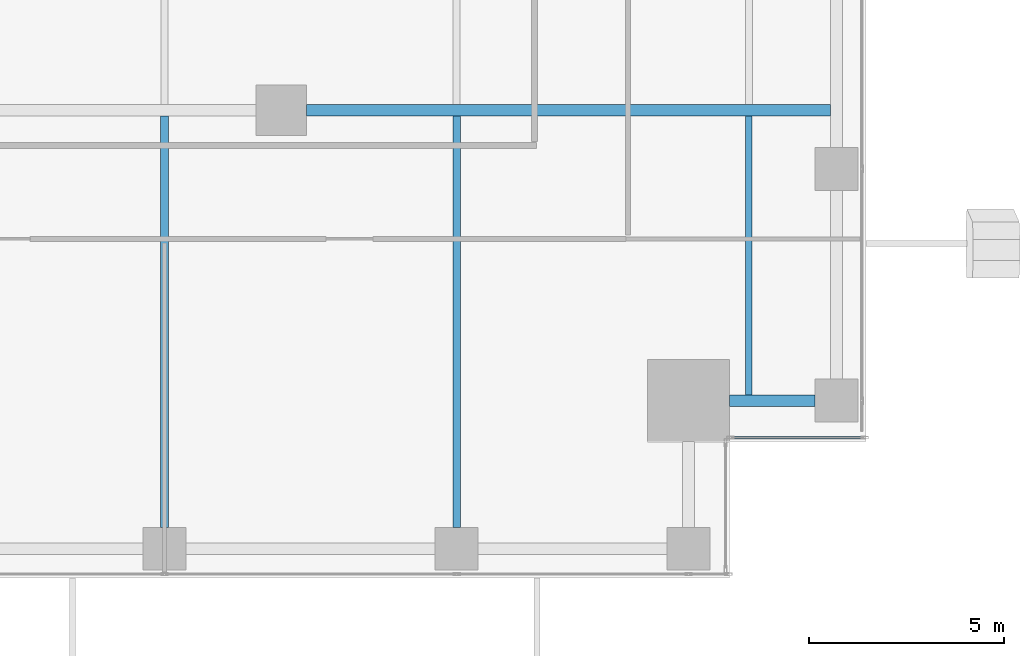
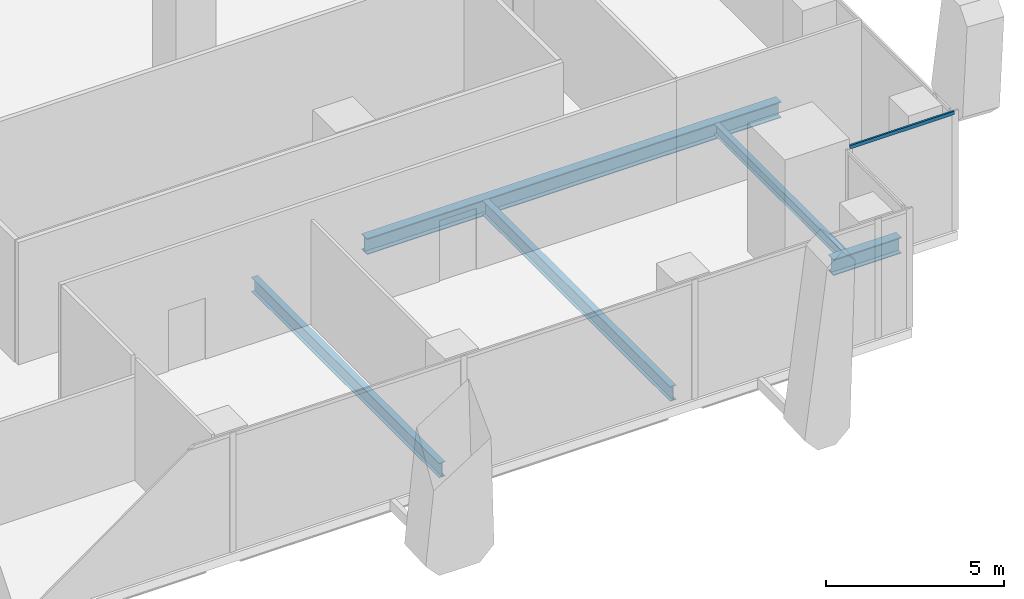
# One storey, part 10 of 35: 5 beams, 1 member, 1 element without a shape of its own.
"""IFC4 building model written with IfcOpenShell, lengths in metres."""

import ifcopenshell
import ifcopenshell.guid

model = None  # the IFC model being written
_history = None  # IfcOwnerHistory: only IFC2X3 demands one
_inside = {}  # id of a spatial element -> (the spatial element, [elements in it])
_under = {}  # id of a project, library or spatial element -> (it, [spatial elements below it])
_declared = {}  # id of a project -> (the project, [libraries it declares])
_typed = {}  # id of a type object -> (the type object, [elements of that type])
_made_of = {}  # id of a material, layer set ... -> (it, [elements and type objects made of it])


def new_model(schema):
    """Start an empty IFC model of exactly this schema.

    Asked for "IFC4X3", IfcOpenShell would pick the latest addendum, in which some entities
    have other attributes; the version numbers below select the first issue.
    IFC2X3 requires an IfcOwnerHistory on every rooted entity: one is made here for all.
    """
    global model, _history
    if schema == "IFC4X3":
        model = ifcopenshell.file(schema_version=(4, 3, 0, 0))
    else:
        model = ifcopenshell.file(schema=schema)
    _inside.clear()
    _under.clear()
    _declared.clear()
    _typed.clear()
    _made_of.clear()
    _history = None
    if model.schema == "IFC2X3":
        org = make("IfcOrganization", Name="unknown")
        user = make(
            "IfcPersonAndOrganization",
            ThePerson=make("IfcPerson", FamilyName="unknown"),
            TheOrganization=org,
        )
        app = make(
            "IfcApplication",
            ApplicationDeveloper=org,
            Version="unknown",
            ApplicationFullName="unknown",
            ApplicationIdentifier="unknown",
        )
        _history = make(
            "IfcOwnerHistory",
            OwningUser=user,
            OwningApplication=app,
            ChangeAction="ADDED",
            CreationDate=0,
        )
    return model


def make(cls, **values):
    """One entity of the class cls with the attributes given. An attribute that is None is left unset."""
    return model.create_entity(
        cls, **{name: value for name, value in values.items() if value is not None}
    )


def rooted(cls, **values):
    """An entity with a GlobalId (a new one), such as an element, a storey or a relation."""
    return make(cls, GlobalId=ifcopenshell.guid.new(), OwnerHistory=_history, **values)


def si_unit(unit_type, name, prefix=None):
    """IfcSIUnit, for example si_unit("LENGTHUNIT", "METRE", prefix="MILLI")."""
    return make("IfcSIUnit", UnitType=unit_type, Prefix=prefix, Name=name)


def assignment(units):
    """IfcUnitAssignment: the units of a project."""
    return None if units is None else make("IfcUnitAssignment", Units=units)


def point(xyz):
    """IfcCartesianPoint."""
    return None if xyz is None else make("IfcCartesianPoint", Coordinates=xyz)


def direction(xyz):
    """IfcDirection."""
    return None if xyz is None else make("IfcDirection", DirectionRatios=xyz)


def frame(location, z_axis=None, x_axis=None):
    """IfcAxis2Placement3D, a coordinate frame: its origin and axes. An axis left out is left unset."""
    return make(
        "IfcAxis2Placement3D",
        Location=point(location),
        Axis=direction(z_axis),
        RefDirection=direction(x_axis),
    )


def frame_2d(location, x_axis=None):
    """IfcAxis2Placement2D, a coordinate frame in the plane: its origin and x axis."""
    return make(
        "IfcAxis2Placement2D", Location=point(location), RefDirection=direction(x_axis)
    )


def origin():
    """The frame at (0, 0, 0) with its axes left unset."""
    return frame((0.0, 0.0, 0.0))


def origin_2d():
    """The frame at (0, 0) in the plane with its x axis left unset."""
    return frame_2d((0.0, 0.0))


def place(relative_to, where):
    """IfcLocalPlacement: puts the frame where relative to a parent placement (None: the world)."""
    return make(
        "IfcLocalPlacement", PlacementRelTo=relative_to, RelativePlacement=where
    )


def context(
    kind, dimensions, precision=None, world=None, true_north=None, identifier=None
):
    """IfcGeometricRepresentationContext, for example the 3D "Model" context."""
    return make(
        "IfcGeometricRepresentationContext",
        ContextIdentifier=identifier,
        ContextType=kind,
        CoordinateSpaceDimension=dimensions,
        Precision=precision,
        WorldCoordinateSystem=world,
        TrueNorth=true_north,
    )


def subcontext(parent, identifier, kind, view, scale=None):
    """IfcGeometricRepresentationSubContext, for example "Body" below "Model"."""
    return make(
        "IfcGeometricRepresentationSubContext",
        ContextIdentifier=identifier,
        ContextType=kind,
        ParentContext=parent,
        TargetScale=scale,
        TargetView=view,
    )


def project(units=None, contexts=None):
    """IfcProject with its units and contexts."""
    return rooted(
        "IfcProject",
        Name="project",
        RepresentationContexts=contexts,
        UnitsInContext=assignment(units),
    )


def spatial(cls, under=None, at=None, **own):
    """A site, building, storey or space (cls), placed at a placement, below another one or the project."""
    s = rooted(cls, ObjectPlacement=at, **own)
    if under is not None:
        _under.setdefault(under.id(), (under, []))[1].append(s)
    return s


def profile(cls, at=None, kind="AREA", **sizes):
    """A parametric profile (cls). Its sizes go by their IFC names, for example OverallWidth=200.0."""
    return make(cls, ProfileType=kind, Position=at, **sizes)


def hollow_rectangle(**sizes):
    """IfcRectangleHollowProfileDef."""
    return profile("IfcRectangleHollowProfileDef", **sizes)


def i_section(**sizes):
    """IfcIShapeProfileDef."""
    return profile("IfcIShapeProfileDef", **sizes)


def extrude(swept, where, along, depth):
    """IfcExtrudedAreaSolid: the profile swept, set in the frame where, extruded along a direction by depth."""
    return make(
        "IfcExtrudedAreaSolid",
        SweptArea=swept,
        Position=where,
        ExtrudedDirection=direction(along),
        Depth=depth,
    )


def shape(context_of_items, identifier, shape_type, items):
    """IfcShapeRepresentation: the items that make up one representation, for example the "Body"."""
    return make(
        "IfcShapeRepresentation",
        ContextOfItems=context_of_items,
        RepresentationIdentifier=identifier,
        RepresentationType=shape_type,
        Items=items,
    )


def source(mapping_origin, context_of_items, identifier, shape_type, items):
    """IfcRepresentationMap: a shape defined once, which mapped items show again and again."""
    return make(
        "IfcRepresentationMap",
        MappingOrigin=mapping_origin,
        MappedRepresentation=shape(context_of_items, identifier, shape_type, items),
    )


def transform(
    local_origin,
    x_axis=None,
    y_axis=None,
    z_axis=None,
    scale=None,
    scale2=None,
    scale3=None,
    uniform=True,
):
    """IfcCartesianTransformationOperator3D, or its non-uniform kind. x_axis, y_axis, z_axis: its Axis1, 2, 3."""
    if uniform:
        return make(
            "IfcCartesianTransformationOperator3D",
            Axis1=direction(x_axis),
            Axis2=direction(y_axis),
            LocalOrigin=point(local_origin),
            Scale=scale,
            Axis3=direction(z_axis),
        )
    return make(
        "IfcCartesianTransformationOperator3DnonUniform",
        Axis1=direction(x_axis),
        Axis2=direction(y_axis),
        LocalOrigin=point(local_origin),
        Scale=scale,
        Axis3=direction(z_axis),
        Scale2=scale2,
        Scale3=scale3,
    )


def mapped(mapping_source, mapping_target):
    """IfcMappedItem: shows the shape of a source again, moved by a transform."""
    return make(
        "IfcMappedItem", MappingSource=mapping_source, MappingTarget=mapping_target
    )


def material(Name=None, Category=None):
    """IfcMaterial."""
    return make("IfcMaterial", Name=Name, Category=Category)


def material_profile(
    of_material, cross_section, Name=None, Category=None, Priority=None
):
    """IfcMaterialProfile: a cross section and its material."""
    return make(
        "IfcMaterialProfile",
        Name=Name,
        Material=of_material,
        Profile=cross_section,
        Priority=Priority,
        Category=Category,
    )


def profile_set(profiles, Name=None, composite=None):
    """IfcMaterialProfileSet."""
    return make(
        "IfcMaterialProfileSet",
        Name=Name,
        MaterialProfiles=profiles,
        CompositeProfile=composite,
    )


def made_of(thing, what):
    """Note that an element or type object is made of a material, layer set ...; save() writes the relation."""
    if what is not None:
        _made_of.setdefault(what.id(), (what, []))[1].append(thing)
    return thing


def type_object(cls, material=None, **own):
    """A type object (cls), such as IfcWallType, which elements share."""
    return made_of(rooted(cls, **own), material)


def element(
    cls,
    number,
    at=None,
    inside=None,
    cuts=None,
    type_object=None,
    material=None,
    context=None,
    identifier="Body",
    shape_type=None,
    held_by="IfcProductDefinitionShape",
    body=None,
    shapes=None,
    **own,
):
    """One element of the class cls, such as IfcWall. Its Tag is "e" and its number.

    at: its placement. inside: the storey or other place that contains it. cuts: it is an
    opening in that element (IfcRelVoidsElement). A single representation is given by context,
    identifier, shape_type and body (its items); several are given by shapes. held_by: the class
    of the entity that holds the representations. save() writes the other relations.
    """
    e = rooted(cls, Tag="e%d" % number, ObjectPlacement=at, **own)
    if body is not None:
        shapes = [shape(context, identifier, shape_type, body)]
    if shapes is not None:
        e.Representation = make(held_by, Representations=shapes)
    if inside is not None:
        _inside.setdefault(inside.id(), (inside, []))[1].append(e)
    if cuts is not None:
        rooted(
            "IfcRelVoidsElement", RelatingBuildingElement=cuts, RelatedOpeningElement=e
        )
    if type_object is not None:
        _typed.setdefault(type_object.id(), (type_object, []))[1].append(e)
    return made_of(e, material)


def aggregate(whole, parts):
    """IfcRelAggregates: a whole, such as a stair, and the parts it consists of."""
    return rooted("IfcRelAggregates", RelatingObject=whole, RelatedObjects=parts)


def save(model, path):
    """Write the relations noted so far, then the file.

    IfcRelAggregates (storeys below a building ...), IfcRelContainedInSpatialStructure (elements
    in a storey), IfcRelDefinesByType, IfcRelAssociatesMaterial and IfcRelDeclares: one each for
    every whole, place, type object, material and project.
    """
    for whole, parts in _under.values():
        aggregate(whole, parts)
    for where, things in _inside.values():
        rooted(
            "IfcRelContainedInSpatialStructure",
            RelatedElements=things,
            RelatingStructure=where,
        )
    for kind, things in _typed.values():
        rooted("IfcRelDefinesByType", RelatedObjects=things, RelatingType=kind)
    for what, things in _made_of.values():
        rooted("IfcRelAssociatesMaterial", RelatedObjects=things, RelatingMaterial=what)
    for by, libraries in _declared.values():
        rooted("IfcRelDeclares", RelatingContext=by, RelatedDefinitions=libraries)
    model.write(path)


model = new_model("IFC4")

# Units and contexts
model_context = context("Model", 3, precision=1e-05, world=origin(), true_north=direction((0.0, 1.0)))
body_context = subcontext(model_context, "Body", "Model", "MODEL_VIEW")
ifc_project = project(units=[si_unit("LENGTHUNIT", "METRE"), si_unit("AREAUNIT", "SQUARE_METRE"), si_unit("VOLUMEUNIT", "CUBIC_METRE"), si_unit("PLANEANGLEUNIT", "RADIAN"), si_unit("MASSUNIT", "GRAM", prefix="KILO")], contexts=[model_context])

# Site, building, storey
site_placement = place(None, origin())
site = spatial("IfcSite", under=ifc_project, at=site_placement, CompositionType="ELEMENT")
building_placement = place(site_placement, origin())
building = spatial("IfcBuilding", under=site, at=building_placement, Name="Khomas Fold Tower", CompositionType="ELEMENT")
storey_placement = place(building_placement, frame((0.0, 0.0, 136.699951171875)))
storey = spatial("IfcBuildingStorey", under=building, at=storey_placement, Name="L29", CompositionType="ELEMENT", Elevation=136.699951171875)

# Beams
ifc_material_1 = material(Name="Steel S355", Category="steel")
ifc_material_profile_1 = material_profile(ifc_material_1, i_section(OverallWidth=0.169921875, OverallDepth=0.360107421875, WebThickness=0.008056640625, FlangeThickness=0.0126953125, at=origin_2d()), Name="IPE 360")
ifc_profile_set_1 = profile_set([ifc_material_profile_1], Name="Steel S355")
beam_type_1 = type_object("IfcBeamType", Name="IPE 360 beam JB2", PredefinedType="BEAM", material=ifc_profile_set_1)
shared_shape_1 = source(origin(), body_context, "Body", "SweptSolid", [
    extrude(i_section(OverallWidth=0.169921875, OverallDepth=0.360107421875, WebThickness=0.008056640625, FlangeThickness=0.0126953125, at=origin_2d()), origin(), (0.0, 0.0, 1.0), 7.150146484375),
])
beam_1_placement = place(storey_placement, frame((49.5, 6.199951171875, -0.47998046875), z_axis=(0.0, 1.0, 0.0), x_axis=(-1.0, 0.0, 0.0)))
element("IfcBeam", 1, at=beam_1_placement, inside=storey, type_object=beam_type_1, Name="JB2", PredefinedType="BEAM", context=body_context, shape_type="MappedRepresentation", body=[
    mapped(shared_shape_1, transform((0.0, 0.0, 0.0))),
])
ifc_material_2 = material(Name="Steel S355", Category="steel")
ifc_material_profile_2 = material_profile(ifc_material_2, i_section(OverallWidth=0.300048828125, OverallDepth=0.550048828125, WebThickness=0.014892578125, FlangeThickness=0.029052734375, at=origin_2d()), Name="HE 550 B")
ifc_profile_set_2 = profile_set([ifc_material_profile_2], Name="Steel S355")
beam_type_2 = type_object("IfcBeamType", Name="HE 550 B spandrel SB2", PredefinedType="SPANDREL", material=ifc_profile_set_2)
shared_shape_2 = source(origin(), body_context, "Body", "SweptSolid", [
    extrude(i_section(OverallWidth=0.300048828125, OverallDepth=0.550048828125, WebThickness=0.014892578125, FlangeThickness=0.029052734375, at=origin_2d()), origin(), (0.0, 0.0, 1.0), 2.199951171875),
])
beam_2_placement = place(storey_placement, frame((49.0, 6.050048828125, -0.574951171875), z_axis=(1.0, 0.0, 0.0), x_axis=(0.0, 1.0, 0.0)))
element("IfcBeam", 2, at=beam_2_placement, inside=storey, type_object=beam_type_2, Name="SB2", PredefinedType="SPANDREL", context=body_context, shape_type="MappedRepresentation", body=[
    mapped(shared_shape_2, transform((0.0, 0.0, 0.0))),
])
ifc_material_3 = material(Name="Steel S355", Category="steel")
ifc_material_profile_3 = material_profile(ifc_material_3, i_section(OverallWidth=0.300048828125, OverallDepth=0.550048828125, WebThickness=0.014892578125, FlangeThickness=0.029052734375, at=origin_2d()), Name="HE 550 B")
ifc_profile_set_3 = profile_set([ifc_material_profile_3], Name="Steel S355")
beam_type_3 = type_object("IfcBeamType", Name="HE 550 B beam GB4", PredefinedType="BEAM", material=ifc_profile_set_3)
shared_shape_3 = source(origin(), body_context, "Body", "SweptSolid", [
    extrude(i_section(OverallWidth=0.300048828125, OverallDepth=0.550048828125, WebThickness=0.014892578125, FlangeThickness=0.029052734375, at=origin_2d()), origin(), (0.0, 0.0, 1.0), 13.4501953125),
])
beam_3_placement = place(storey_placement, frame((38.14990234375, 13.5, -0.574951171875), z_axis=(1.0, 0.0, 0.0), x_axis=(0.0, 1.0, 0.0)))
element("IfcBeam", 3, at=beam_3_placement, inside=storey, type_object=beam_type_3, Name="GB4", PredefinedType="BEAM", context=body_context, shape_type="MappedRepresentation", body=[
    mapped(shared_shape_3, transform((0.0, 0.0, 0.0))),
])
ifc_material_4 = material(Name="Steel S355", Category="steel")
ifc_material_profile_4 = material_profile(ifc_material_4, i_section(OverallWidth=0.199951171875, OverallDepth=0.5, WebThickness=0.01025390625, FlangeThickness=0.01611328125, at=origin_2d()), Name="IPE 500")
ifc_profile_set_4 = profile_set([ifc_material_profile_4], Name="Steel S355")
beam_type_4 = type_object("IfcBeamType", Name="IPE 500 beam JB5", PredefinedType="BEAM", material=ifc_profile_set_4)
shared_shape_4 = source(origin(), body_context, "Body", "SweptSolid", [
    extrude(i_section(OverallWidth=0.199951171875, OverallDepth=0.5, WebThickness=0.01025390625, FlangeThickness=0.01611328125, at=origin_2d()), origin(), (0.0, 0.0, 1.0), 10.550048828125),
])
for number, where, z_axis, x_axis, name in (
    (4, (34.5, 2.800048828125, -0.550048828125), (0.0, 1.0, 0.0), (-1.0, 0.0, 0.0), "JB5"),
    (5, (42.0, 2.800048828125, -0.550048828125), (0.0, 1.0, 0.0), (-1.0, 0.0, 0.0), "JB5"),
):
    element("IfcBeam", number, at=place(storey_placement, frame(where, z_axis=z_axis, x_axis=x_axis)), inside=storey, type_object=beam_type_4, Name=name, PredefinedType="BEAM", context=body_context, shape_type="MappedRepresentation", body=[
        mapped(shared_shape_4, transform((0.0, 0.0, 0.0))),
    ])

# Curtain wall, member
ifc_material_5 = material(Name="Aluminium framed double glazing", Category="aluminium")
curtain_wall_type = type_object("IfcCurtainWallType", Name="SK-Unitised clear-glass wall, growing floors CW1", PredefinedType="NOTDEFINED", material=ifc_material_5)
curtain_wall_placement = place(storey_placement, origin())
curtain_wall = element("IfcCurtainWall", 6, at=curtain_wall_placement, inside=storey, type_object=curtain_wall_type, Name="CW1 corner return L29 02", PredefinedType="NOTDEFINED")
ifc_material_6 = material(Name="Aluminium", Category="aluminium")
ifc_material_profile_5 = material_profile(ifc_material_6, hollow_rectangle(XDim=0.06005859375, YDim=0.1201171875, WallThickness=0.00390625, at=origin_2d()), Name="SK-Unitised clear-glass wall, growing floors transom CW1-T")
ifc_profile_set_5 = profile_set([ifc_material_profile_5], Name="Aluminium")
member_type = type_object("IfcMemberType", Name="SK-Unitised clear-glass wall, growing floors transom CW1-T", PredefinedType="USERDEFINED", material=ifc_profile_set_5)
shared_shape_5 = source(origin(), body_context, "Body", "SweptSolid", [
    extrude(hollow_rectangle(XDim=0.06005859375, YDim=0.1201171875, WallThickness=0.00390625, at=origin_2d()), origin(), (0.0, 0.0, 1.0), 3.3798828125),
])
member_placement = place(storey_placement, frame((49.06005859375, 5.10009765625, 4.0400390625), z_axis=(1.0, 0.0, 0.0), x_axis=(0.0, 1.0, 0.0)))
member = element("IfcMember", 7, at=member_placement, type_object=member_type, Name="CW1 transom 1", ObjectType="TRANSOM", PredefinedType="USERDEFINED", context=body_context, shape_type="MappedRepresentation", body=[
    mapped(shared_shape_5, transform((0.0, 0.0, 0.0))),
])
aggregate(curtain_wall, [member])

save(model, "model.ifc")
